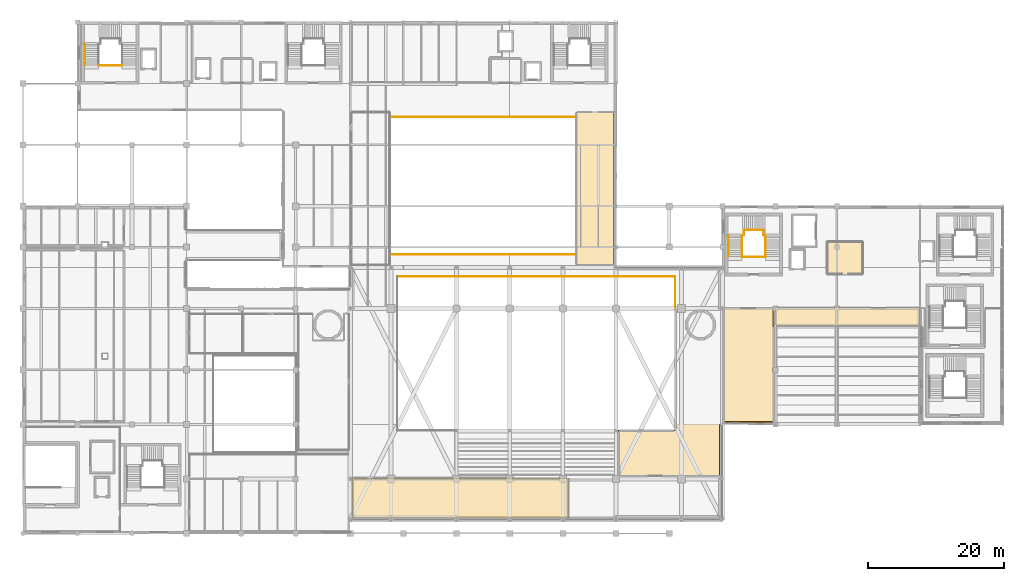
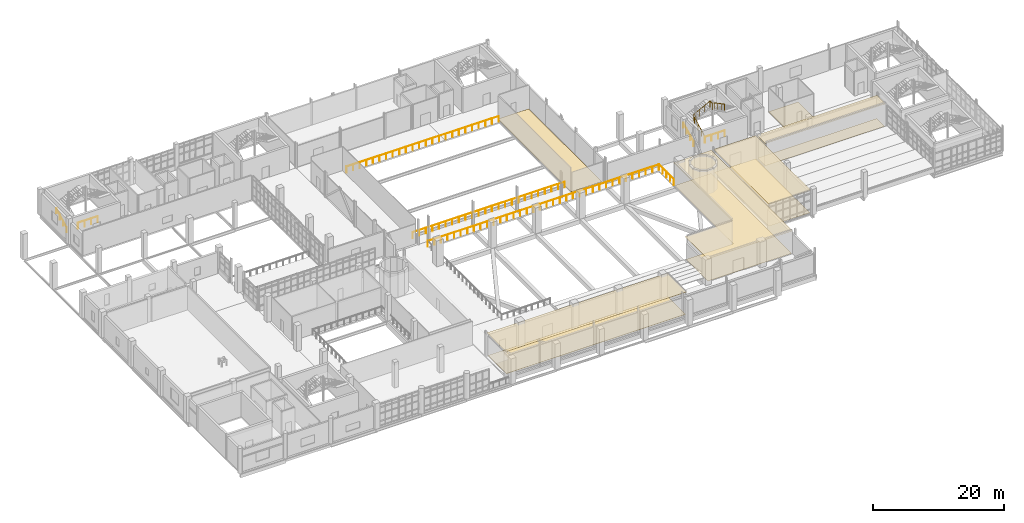
# One storey, part 98 of 100: 10 coverings, 9 railings.
"""IFC4 building model written with IfcOpenShell, lengths in metres."""

from ifc_helpers import new_model, si_unit, derived_unit, direction, frame, origin, origin_2d, place, context, subcontext, project, spatial, polyline, circle, outline, extrude, material, layer, layer_set, type_object, element, save


model = new_model("IFC4")

# Units and contexts
model_context = context("Model", 3, precision=1e-05, world=origin(), true_north=direction((0.0, 1.0)))
body_context = subcontext(model_context, "Body", "Model", "MODEL_VIEW")
ifc_project = project(units=[si_unit("LENGTHUNIT", "METRE"), si_unit("AREAUNIT", "SQUARE_METRE"), si_unit("VOLUMEUNIT", "CUBIC_METRE"), si_unit("PLANEANGLEUNIT", "RADIAN"), si_unit("MASSUNIT", "GRAM", prefix="KILO"), derived_unit("THERMALTRANSMITTANCEUNIT", [(si_unit("POWERUNIT", "WATT"), 1), (si_unit("LENGTHUNIT", "METRE"), -2), (si_unit("THERMODYNAMICTEMPERATUREUNIT", "KELVIN"), -1)])], contexts=[model_context])

# Site, building, storey
site_placement = place(None, origin())
site = spatial("IfcSite", under=ifc_project, at=site_placement, CompositionType="ELEMENT")
building_placement = place(site_placement, origin())
building = spatial("IfcBuilding", under=site, at=building_placement, Name="Nallur Shell Playhouse", CompositionType="ELEMENT")
storey_placement = place(building_placement, frame((0.0, 0.0, 10.199951171875)))
storey = spatial("IfcBuildingStorey", under=building, at=storey_placement, Name="L03", CompositionType="ELEMENT", Elevation=10.199951171875)

# Coverings
ifc_material_1 = material(Name="Micro-Perforated Teak Veneer Acoustic Baffle Ceiling")
ifc_layer_1 = layer(ifc_material_1, 0.044921875)
ifc_layer_set_1 = layer_set([ifc_layer_1], Name="Micro-Perforated Teak Veneer Acoustic Baffle Ceiling")
covering_type_1 = type_object("IfcCoveringType", Name="CV-CEIL-AC1", PredefinedType="CEILING", material=ifc_layer_set_1)
covering_1_placement = place(storey_placement, frame((0.0, 0.0, 4.205078125)))
element("IfcCovering", 1, at=covering_1_placement, inside=storey, type_object=covering_type_1, Name="260-Seat Courtyard Studio Theatre Auditorium suspended acoustic ceiling", PredefinedType="CEILING", context=body_context, shape_type="SweptSolid", body=[
    extrude(outline(polyline([(126.110107421875, 41.110107421875), (126.110107421875, 24.2900390625), (118.68994140625, 24.2900390625), (118.68994140625, 41.110107421875), (126.110107421875, 41.110107421875)])), origin(), (0.0, 0.0, 1.0), 0.044921875),
])
covering_2_placement = place(storey_placement, frame((0.0, 0.0, 4.205078125)))
element("IfcCovering", 2, at=covering_2_placement, inside=storey, type_object=covering_type_1, Name="Dress Circle Cantilevered Promenade Foyer suspended acoustic ceiling", PredefinedType="CEILING", context=body_context, shape_type="SweptSolid", body=[
    extrude(outline(polyline([(96.110107421875, 16.110107421875), (96.110107421875, 10.2900390625), (64.2900390625, 10.2900390625), (64.2900390625, 16.110107421875), (96.110107421875, 16.110107421875)])), origin(), (0.0, 0.0, 1.0), 0.044921875),
])
ifc_material_2 = material(Name="Mineral-Fibre High-NRC Suspended Ceiling Tile")
ifc_layer_2 = layer(ifc_material_2, 0.030029296875)
ifc_layer_set_2 = layer_set([ifc_layer_2], Name="Mineral-Fibre High-NRC Suspended Ceiling Tile")
covering_type_2 = type_object("IfcCoveringType", Name="CV-CEIL-AC2", PredefinedType="CEILING", material=ifc_layer_set_2)
covering_3_placement = place(storey_placement, frame((0.0, 0.0, 4.219970703125)))
element("IfcCovering", 3, at=covering_3_placement, inside=storey, type_object=covering_type_2, Name="Main Theatre Dress Circle Auditorium Tier suspended acoustic ceiling", PredefinedType="CEILING", context=body_context, shape_type="SweptSolid", body=[
    extrude(outline(polyline([(111.616455078125, 23.175048828125), (111.618896484375, 23.177001953125), (111.62109375, 23.178955078125), (111.623046875, 23.18115234375), (111.625, 23.18359375), (111.626220703125, 23.185791015625), (111.62744140625, 23.1884765625), (111.628662109375, 23.19140625), (111.629150390625, 23.194091796875), (111.629638671875, 23.197021484375), (111.6298828125, 23.202880859375), (111.6298828125, 41.110107421875), (118.31005859375, 41.110107421875), (118.31005859375, 16.2900390625), (103.2900390625, 16.2900390625), (103.2900390625, 23.169921875), (111.59716796875, 23.169921875), (111.602783203125, 23.17041015625), (111.60595703125, 23.1708984375), (111.608642578125, 23.17138671875), (111.611572265625, 23.172607421875), (111.6142578125, 23.173583984375), (111.616455078125, 23.175048828125)])), origin(), (0.0, 0.0, 1.0), 0.030029296875),
])
covering_4_placement = place(storey_placement, frame((0.0, 0.0, 4.219970703125)))
element("IfcCovering", 4, at=covering_4_placement, inside=storey, type_object=covering_type_2, Name="Studio Theatre Stage & Wing Deck suspended acoustic ceiling", PredefinedType="CEILING", context=body_context, shape_type="SweptSolid", body=[
    extrude(outline(polyline([(147.510009765625, 41.110107421875), (147.510009765625, 38.489990234375), (126.2900390625, 38.489990234375), (126.2900390625, 41.110107421875), (147.510009765625, 41.110107421875)])), origin(), (0.0, 0.0, 1.0), 0.030029296875),
])
ifc_material_3 = material(Name="Heavy-Duty Woven Wool Auditorium Acoustic Flooring")
ifc_layer_3 = layer(ifc_material_3, 0.02001953125)
ifc_layer_set_3 = layer_set([ifc_layer_3], Name="Heavy-Duty Woven Wool Auditorium Acoustic Flooring")
covering_type_3 = type_object("IfcCoveringType", Name="CV-FLOR-CARPET", PredefinedType="FLOORING", material=ifc_layer_set_3)
covering_5_placement = place(storey_placement, origin())
element("IfcCovering", 5, at=covering_5_placement, inside=storey, type_object=covering_type_3, Name="Main Theatre Dress Circle Auditorium Tier floor finish", PredefinedType="FLOORING", context=body_context, shape_type="SweptSolid", body=[
    extrude(outline(polyline([(111.677734375, 23.08349609375), (111.688720703125, 23.091796875), (111.698974609375, 23.10107421875), (111.708251953125, 23.111083984375), (111.71630859375, 23.122314453125), (111.723388671875, 23.134033203125), (111.729248046875, 23.146484375), (111.73388671875, 23.159423828125), (111.7373046875, 23.172607421875), (111.7392578125, 23.186279296875), (111.739990234375, 23.199951171875), (111.739990234375, 41.0), (118.199951171875, 41.0), (118.199951171875, 16.39990234375), (103.39990234375, 16.39990234375), (103.39990234375, 23.06005859375), (111.60009765625, 23.06005859375), (111.61376953125, 23.060791015625), (111.627197265625, 23.062744140625), (111.640625, 23.06591796875), (111.653564453125, 23.07080078125), (111.666015625, 23.076416015625), (111.677734375, 23.08349609375)])), origin(), (0.0, 0.0, 1.0), 0.02001953125),
])
covering_6_placement = place(storey_placement, origin())
element("IfcCovering", 6, at=covering_6_placement, inside=storey, type_object=covering_type_3, Name="260-Seat Courtyard Studio Theatre Auditorium floor finish", PredefinedType="FLOORING", context=body_context, shape_type="SweptSolid", body=[
    extrude(outline(polyline([(126.0, 41.0), (126.0, 24.39990234375), (118.800048828125, 24.39990234375), (118.800048828125, 41.0), (126.0, 41.0)])), origin(), (0.0, 0.0, 1.0), 0.02001953125),
])
covering_7_placement = place(storey_placement, origin())
element("IfcCovering", 7, at=covering_7_placement, inside=storey, type_object=covering_type_3, Name="Studio Theatre Stage & Wing Deck floor finish", PredefinedType="FLOORING", context=body_context, shape_type="SweptSolid", body=[
    extrude(outline(polyline([(147.39990234375, 41.0), (147.39990234375, 38.60009765625), (126.39990234375, 38.60009765625), (126.39990234375, 41.0), (147.39990234375, 41.0)])), origin(), (0.0, 0.0, 1.0), 0.02001953125),
])
ifc_material_4 = material(Name="Polished Chettinad Oxide & White Marble Terrazzo Flooring", Category="masonry")
ifc_layer_4 = layer(ifc_material_4, 0.050048828125)
ifc_layer_set_4 = layer_set([ifc_layer_4], Name="Polished Chettinad Oxide & White Marble Terrazzo Flooring")
covering_type_4 = type_object("IfcCoveringType", Name="CV-FLOR-TERRAZZO", PredefinedType="FLOORING", material=ifc_layer_set_4)
covering_8_placement = place(storey_placement, origin())
element("IfcCovering", 8, at=covering_8_placement, inside=storey, type_object=covering_type_4, Name="Dress Circle Cantilevered Promenade Foyer floor finish", PredefinedType="FLOORING", context=body_context, shape_type="SweptSolid", body=[
    extrude(outline(polyline([(96.0, 16.0), (96.0, 10.39990234375), (64.39990234375, 10.39990234375), (64.39990234375, 16.0), (96.0, 16.0)])), origin(), (0.0, 0.0, 1.0), 0.050048828125),
])
covering_9_placement = place(storey_placement, origin())
element("IfcCovering", 9, at=covering_9_placement, inside=storey, type_object=covering_type_4, Name="Dress Circle Accessible Restroom floor finish", PredefinedType="FLOORING", context=body_context, shape_type="SweptSolid", body=[
    extrude(outline(polyline([(139.199951171875, 50.800048828125), (139.199951171875, 46.0), (134.0, 46.0), (134.0, 50.800048828125), (139.199951171875, 50.800048828125)])), origin(), (0.0, 0.0, 1.0), 0.050048828125),
])
ifc_material_5 = material(Name="Sprung Semi-Resilient Stage & Dance Hardwood Flooring", Category="wood")
ifc_layer_5 = layer(ifc_material_5, 0.054931640625)
ifc_layer_set_5 = layer_set([ifc_layer_5], Name="Sprung Semi-Resilient Stage & Dance Hardwood Flooring")
covering_type_5 = type_object("IfcCoveringType", Name="CV-FLOR-TIMBER", PredefinedType="FLOORING", material=ifc_layer_set_5)
covering_10_placement = place(storey_placement, origin())
element("IfcCovering", 10, at=covering_10_placement, inside=storey, type_object=covering_type_5, Name="Stage East Pin-Rail & Lighting Gallery floor finish", PredefinedType="FLOORING", context=body_context, shape_type="SweptSolid", body=[
    extrude(outline(polyline([(102.60009765625, 69.800048828125), (102.60009765625, 47.39990234375), (97.199951171875, 47.39990234375), (97.199951171875, 69.800048828125), (102.60009765625, 69.800048828125)])), origin(), (0.0, 0.0, 1.0), 0.054931640625),
])

# Railings
ifc_material_6 = material(Name="Bronze-Anodised Foyer Void Acoustic Glass Guardrail", Category="glass")
railing_type_1 = type_object("IfcRailingType", Name="RL-BAL-1100", PredefinedType="BALUSTRADE", material=ifc_material_6)
railing_1_placement = place(storey_placement, frame((111.699951171875, 41.1318359375, 0.0)))
element("IfcRailing", 11, at=railing_1_placement, inside=storey, type_object=railing_type_1, Name="L03 interior void balustrade 006", PredefinedType="BALUSTRADE", context=body_context, shape_type="SweptSolid", body=[
    extrude(circle(Radius=0.02392578125, at=origin_2d()), frame((0.0, 0.0, 1.09619140625), z_axis=(0.0, 1.0, 0.0), x_axis=(-1.0, 0.0, 0.0)), (0.0, 0.0, 1.0), 4.568115234375),
    extrude(circle(Radius=0.02099609375, at=origin_2d()), origin(), (0.0, 0.0, 1.0), 1.072021484375),
    extrude(circle(Radius=0.02099609375, at=origin_2d()), frame((0.0, 1.14208984375, 0.0)), (0.0, 0.0, 1.0), 1.072021484375),
    extrude(circle(Radius=0.02099609375, at=origin_2d()), frame((0.0, 2.2841796875, 0.0)), (0.0, 0.0, 1.0), 1.072021484375),
    extrude(circle(Radius=0.02099609375, at=origin_2d()), frame((0.0, 3.426025390625, 0.0)), (0.0, 0.0, 1.0), 1.072021484375),
    extrude(circle(Radius=0.02099609375, at=origin_2d()), frame((0.0, 4.568115234375, 0.0)), (0.0, 0.0, 1.0), 1.072021484375),
])
railing_2_placement = place(storey_placement, frame((111.699951171875, 45.699951171875, 0.0)))
element("IfcRailing", 12, at=railing_2_placement, inside=storey, type_object=railing_type_1, Name="L03 interior void balustrade 007", PredefinedType="BALUSTRADE", context=body_context, shape_type="SweptSolid", body=[
    extrude(circle(Radius=0.02392578125, at=origin_2d()), frame((0.0, 0.0, 1.09619140625), z_axis=(-1.0, 0.0, 0.0), x_axis=(0.0, -1.0, 0.0)), (0.0, 0.0, 1.0), 40.800048828125),
    extrude(circle(Radius=0.02099609375, at=origin_2d()), origin(), (0.0, 0.0, 1.0), 1.072021484375),
    extrude(circle(Radius=0.02099609375, at=origin_2d()), frame((-1.165771484375, 0.0, 0.0)), (0.0, 0.0, 1.0), 1.072021484375),
    extrude(circle(Radius=0.02099609375, at=origin_2d()), frame((-2.33154296875, 0.0, 0.0)), (0.0, 0.0, 1.0), 1.072021484375),
    extrude(circle(Radius=0.02099609375, at=origin_2d()), frame((-3.4970703125, 0.0, 0.0)), (0.0, 0.0, 1.0), 1.072021484375),
    extrude(circle(Radius=0.02099609375, at=origin_2d()), frame((-4.662841796875, 0.0, 0.0)), (0.0, 0.0, 1.0), 1.072021484375),
    extrude(circle(Radius=0.02099609375, at=origin_2d()), frame((-5.82861328125, 0.0, 0.0)), (0.0, 0.0, 1.0), 1.072021484375),
    extrude(circle(Radius=0.02099609375, at=origin_2d()), frame((-6.994384765625, 0.0, 0.0)), (0.0, 0.0, 1.0), 1.072021484375),
    extrude(circle(Radius=0.02099609375, at=origin_2d()), frame((-8.159912109375, 0.0, 0.0)), (0.0, 0.0, 1.0), 1.072021484375),
    extrude(circle(Radius=0.02099609375, at=origin_2d()), frame((-9.32568359375, 0.0, 0.0)), (0.0, 0.0, 1.0), 1.072021484375),
    extrude(circle(Radius=0.02099609375, at=origin_2d()), frame((-10.491455078125, 0.0, 0.0)), (0.0, 0.0, 1.0), 1.072021484375),
    extrude(circle(Radius=0.02099609375, at=origin_2d()), frame((-11.6572265625, 0.0, 0.0)), (0.0, 0.0, 1.0), 1.072021484375),
    extrude(circle(Radius=0.02099609375, at=origin_2d()), frame((-12.82275390625, 0.0, 0.0)), (0.0, 0.0, 1.0), 1.072021484375),
    extrude(circle(Radius=0.02099609375, at=origin_2d()), frame((-13.988525390625, 0.0, 0.0)), (0.0, 0.0, 1.0), 1.072021484375),
    extrude(circle(Radius=0.02099609375, at=origin_2d()), frame((-15.154296875, 0.0, 0.0)), (0.0, 0.0, 1.0), 1.072021484375),
    extrude(circle(Radius=0.02099609375, at=origin_2d()), frame((-16.320068359375, 0.0, 0.0)), (0.0, 0.0, 1.0), 1.072021484375),
    extrude(circle(Radius=0.02099609375, at=origin_2d()), frame((-17.48583984375, 0.0, 0.0)), (0.0, 0.0, 1.0), 1.072021484375),
    extrude(circle(Radius=0.02099609375, at=origin_2d()), frame((-18.6513671875, 0.0, 0.0)), (0.0, 0.0, 1.0), 1.072021484375),
    extrude(circle(Radius=0.02099609375, at=origin_2d()), frame((-19.817138671875, 0.0, 0.0)), (0.0, 0.0, 1.0), 1.072021484375),
    extrude(circle(Radius=0.02099609375, at=origin_2d()), frame((-20.98291015625, 0.0, 0.0)), (0.0, 0.0, 1.0), 1.072021484375),
    extrude(circle(Radius=0.02099609375, at=origin_2d()), frame((-22.148681640625, 0.0, 0.0)), (0.0, 0.0, 1.0), 1.072021484375),
    extrude(circle(Radius=0.02099609375, at=origin_2d()), frame((-23.314208984375, 0.0, 0.0)), (0.0, 0.0, 1.0), 1.072021484375),
    extrude(circle(Radius=0.02099609375, at=origin_2d()), frame((-24.47998046875, 0.0, 0.0)), (0.0, 0.0, 1.0), 1.072021484375),
    extrude(circle(Radius=0.02099609375, at=origin_2d()), frame((-25.645751953125, 0.0, 0.0)), (0.0, 0.0, 1.0), 1.072021484375),
    extrude(circle(Radius=0.02099609375, at=origin_2d()), frame((-26.8115234375, 0.0, 0.0)), (0.0, 0.0, 1.0), 1.072021484375),
    extrude(circle(Radius=0.02099609375, at=origin_2d()), frame((-27.977294921875, 0.0, 0.0)), (0.0, 0.0, 1.0), 1.072021484375),
    extrude(circle(Radius=0.02099609375, at=origin_2d()), frame((-29.142822265625, 0.0, 0.0)), (0.0, 0.0, 1.0), 1.072021484375),
    extrude(circle(Radius=0.02099609375, at=origin_2d()), frame((-30.30859375, 0.0, 0.0)), (0.0, 0.0, 1.0), 1.072021484375),
    extrude(circle(Radius=0.02099609375, at=origin_2d()), frame((-31.474365234375, 0.0, 0.0)), (0.0, 0.0, 1.0), 1.072021484375),
    extrude(circle(Radius=0.02099609375, at=origin_2d()), frame((-32.64013671875, 0.0, 0.0)), (0.0, 0.0, 1.0), 1.072021484375),
    extrude(circle(Radius=0.02099609375, at=origin_2d()), frame((-33.8056640625, 0.0, 0.0)), (0.0, 0.0, 1.0), 1.072021484375),
    extrude(circle(Radius=0.02099609375, at=origin_2d()), frame((-34.971435546875, 0.0, 0.0)), (0.0, 0.0, 1.0), 1.072021484375),
    extrude(circle(Radius=0.02099609375, at=origin_2d()), frame((-36.13720703125, 0.0, 0.0)), (0.0, 0.0, 1.0), 1.072021484375),
    extrude(circle(Radius=0.02099609375, at=origin_2d()), frame((-37.302978515625, 0.0, 0.0)), (0.0, 0.0, 1.0), 1.072021484375),
    extrude(circle(Radius=0.02099609375, at=origin_2d()), frame((-38.468505859375, 0.0, 0.0)), (0.0, 0.0, 1.0), 1.072021484375),
    extrude(circle(Radius=0.02099609375, at=origin_2d()), frame((-39.63427734375, 0.0, 0.0)), (0.0, 0.0, 1.0), 1.072021484375),
    extrude(circle(Radius=0.02099609375, at=origin_2d()), frame((-40.800048828125, 0.0, 0.0)), (0.0, 0.0, 1.0), 1.072021484375),
])
railing_3_placement = place(storey_placement, frame((70.080078125, 48.89990234375, 0.0)))
element("IfcRailing", 13, at=railing_3_placement, inside=storey, type_object=railing_type_1, Name="L03 interior void balustrade 013", PredefinedType="BALUSTRADE", context=body_context, shape_type="SweptSolid", body=[
    extrude(circle(Radius=0.02392578125, at=origin_2d()), frame((0.0, 0.0, 1.09619140625), z_axis=(1.0, 0.0, 0.0), x_axis=(0.0, 1.0, 0.0)), (0.0, 0.0, 1.0), 26.83984375),
    extrude(circle(Radius=0.02099609375, at=origin_2d()), origin(), (0.0, 0.0, 1.0), 1.072021484375),
    extrude(circle(Radius=0.02099609375, at=origin_2d()), frame((1.1669921875, 0.0, 0.0)), (0.0, 0.0, 1.0), 1.072021484375),
    extrude(circle(Radius=0.02099609375, at=origin_2d()), frame((2.333984375, 0.0, 0.0)), (0.0, 0.0, 1.0), 1.072021484375),
    extrude(circle(Radius=0.02099609375, at=origin_2d()), frame((3.500732421875, 0.0, 0.0)), (0.0, 0.0, 1.0), 1.072021484375),
    extrude(circle(Radius=0.02099609375, at=origin_2d()), frame((4.667724609375, 0.0, 0.0)), (0.0, 0.0, 1.0), 1.072021484375),
    extrude(circle(Radius=0.02099609375, at=origin_2d()), frame((5.834716796875, 0.0, 0.0)), (0.0, 0.0, 1.0), 1.072021484375),
    extrude(circle(Radius=0.02099609375, at=origin_2d()), frame((7.001708984375, 0.0, 0.0)), (0.0, 0.0, 1.0), 1.072021484375),
    extrude(circle(Radius=0.02099609375, at=origin_2d()), frame((8.168701171875, 0.0, 0.0)), (0.0, 0.0, 1.0), 1.072021484375),
    extrude(circle(Radius=0.02099609375, at=origin_2d()), frame((9.335693359375, 0.0, 0.0)), (0.0, 0.0, 1.0), 1.072021484375),
    extrude(circle(Radius=0.02099609375, at=origin_2d()), frame((10.50244140625, 0.0, 0.0)), (0.0, 0.0, 1.0), 1.072021484375),
    extrude(circle(Radius=0.02099609375, at=origin_2d()), frame((11.66943359375, 0.0, 0.0)), (0.0, 0.0, 1.0), 1.072021484375),
    extrude(circle(Radius=0.02099609375, at=origin_2d()), frame((12.83642578125, 0.0, 0.0)), (0.0, 0.0, 1.0), 1.072021484375),
    extrude(circle(Radius=0.02099609375, at=origin_2d()), frame((14.00341796875, 0.0, 0.0)), (0.0, 0.0, 1.0), 1.072021484375),
    extrude(circle(Radius=0.02099609375, at=origin_2d()), frame((15.17041015625, 0.0, 0.0)), (0.0, 0.0, 1.0), 1.072021484375),
    extrude(circle(Radius=0.02099609375, at=origin_2d()), frame((16.33740234375, 0.0, 0.0)), (0.0, 0.0, 1.0), 1.072021484375),
    extrude(circle(Radius=0.02099609375, at=origin_2d()), frame((17.504150390625, 0.0, 0.0)), (0.0, 0.0, 1.0), 1.072021484375),
    extrude(circle(Radius=0.02099609375, at=origin_2d()), frame((18.671142578125, 0.0, 0.0)), (0.0, 0.0, 1.0), 1.072021484375),
    extrude(circle(Radius=0.02099609375, at=origin_2d()), frame((19.838134765625, 0.0, 0.0)), (0.0, 0.0, 1.0), 1.072021484375),
    extrude(circle(Radius=0.02099609375, at=origin_2d()), frame((21.005126953125, 0.0, 0.0)), (0.0, 0.0, 1.0), 1.072021484375),
    extrude(circle(Radius=0.02099609375, at=origin_2d()), frame((22.172119140625, 0.0, 0.0)), (0.0, 0.0, 1.0), 1.072021484375),
    extrude(circle(Radius=0.02099609375, at=origin_2d()), frame((23.339111328125, 0.0, 0.0)), (0.0, 0.0, 1.0), 1.072021484375),
    extrude(circle(Radius=0.02099609375, at=origin_2d()), frame((24.505859375, 0.0, 0.0)), (0.0, 0.0, 1.0), 1.072021484375),
    extrude(circle(Radius=0.02099609375, at=origin_2d()), frame((25.6728515625, 0.0, 0.0)), (0.0, 0.0, 1.0), 1.072021484375),
    extrude(circle(Radius=0.02099609375, at=origin_2d()), frame((26.83984375, 0.0, 0.0)), (0.0, 0.0, 1.0), 1.072021484375),
])
railing_4_placement = place(storey_placement, frame((96.919921875, 69.10009765625, 0.0)))
element("IfcRailing", 14, at=railing_4_placement, inside=storey, type_object=railing_type_1, Name="L03 interior void balustrade 014", PredefinedType="BALUSTRADE", context=body_context, shape_type="SweptSolid", body=[
    extrude(circle(Radius=0.02392578125, at=origin_2d()), frame((0.0, 0.0, 1.09619140625), z_axis=(-1.0, 0.0, 0.0), x_axis=(0.0, -1.0, 0.0)), (0.0, 0.0, 1.0), 26.83984375),
    extrude(circle(Radius=0.02099609375, at=origin_2d()), origin(), (0.0, 0.0, 1.0), 1.072021484375),
    extrude(circle(Radius=0.02099609375, at=origin_2d()), frame((-1.1669921875, 0.0, 0.0)), (0.0, 0.0, 1.0), 1.072021484375),
    extrude(circle(Radius=0.02099609375, at=origin_2d()), frame((-2.333984375, 0.0, 0.0)), (0.0, 0.0, 1.0), 1.072021484375),
    extrude(circle(Radius=0.02099609375, at=origin_2d()), frame((-3.500732421875, 0.0, 0.0)), (0.0, 0.0, 1.0), 1.072021484375),
    extrude(circle(Radius=0.02099609375, at=origin_2d()), frame((-4.667724609375, 0.0, 0.0)), (0.0, 0.0, 1.0), 1.072021484375),
    extrude(circle(Radius=0.02099609375, at=origin_2d()), frame((-5.834716796875, 0.0, 0.0)), (0.0, 0.0, 1.0), 1.072021484375),
    extrude(circle(Radius=0.02099609375, at=origin_2d()), frame((-7.001708984375, 0.0, 0.0)), (0.0, 0.0, 1.0), 1.072021484375),
    extrude(circle(Radius=0.02099609375, at=origin_2d()), frame((-8.168701171875, 0.0, 0.0)), (0.0, 0.0, 1.0), 1.072021484375),
    extrude(circle(Radius=0.02099609375, at=origin_2d()), frame((-9.335693359375, 0.0, 0.0)), (0.0, 0.0, 1.0), 1.072021484375),
    extrude(circle(Radius=0.02099609375, at=origin_2d()), frame((-10.50244140625, 0.0, 0.0)), (0.0, 0.0, 1.0), 1.072021484375),
    extrude(circle(Radius=0.02099609375, at=origin_2d()), frame((-11.66943359375, 0.0, 0.0)), (0.0, 0.0, 1.0), 1.072021484375),
    extrude(circle(Radius=0.02099609375, at=origin_2d()), frame((-12.83642578125, 0.0, 0.0)), (0.0, 0.0, 1.0), 1.072021484375),
    extrude(circle(Radius=0.02099609375, at=origin_2d()), frame((-14.00341796875, 0.0, 0.0)), (0.0, 0.0, 1.0), 1.072021484375),
    extrude(circle(Radius=0.02099609375, at=origin_2d()), frame((-15.17041015625, 0.0, 0.0)), (0.0, 0.0, 1.0), 1.072021484375),
    extrude(circle(Radius=0.02099609375, at=origin_2d()), frame((-16.33740234375, 0.0, 0.0)), (0.0, 0.0, 1.0), 1.072021484375),
    extrude(circle(Radius=0.02099609375, at=origin_2d()), frame((-17.504150390625, 0.0, 0.0)), (0.0, 0.0, 1.0), 1.072021484375),
    extrude(circle(Radius=0.02099609375, at=origin_2d()), frame((-18.671142578125, 0.0, 0.0)), (0.0, 0.0, 1.0), 1.072021484375),
    extrude(circle(Radius=0.02099609375, at=origin_2d()), frame((-19.838134765625, 0.0, 0.0)), (0.0, 0.0, 1.0), 1.072021484375),
    extrude(circle(Radius=0.02099609375, at=origin_2d()), frame((-21.005126953125, 0.0, 0.0)), (0.0, 0.0, 1.0), 1.072021484375),
    extrude(circle(Radius=0.02099609375, at=origin_2d()), frame((-22.172119140625, 0.0, 0.0)), (0.0, 0.0, 1.0), 1.072021484375),
    extrude(circle(Radius=0.02099609375, at=origin_2d()), frame((-23.339111328125, 0.0, 0.0)), (0.0, 0.0, 1.0), 1.072021484375),
    extrude(circle(Radius=0.02099609375, at=origin_2d()), frame((-24.505859375, 0.0, 0.0)), (0.0, 0.0, 1.0), 1.072021484375),
    extrude(circle(Radius=0.02099609375, at=origin_2d()), frame((-25.6728515625, 0.0, 0.0)), (0.0, 0.0, 1.0), 1.072021484375),
    extrude(circle(Radius=0.02099609375, at=origin_2d()), frame((-26.83984375, 0.0, 0.0)), (0.0, 0.0, 1.0), 1.072021484375),
])
ifc_material_7 = material(Name="Brushed Stainless Steel 316 Balustrade & Toughened Infill", Category="steel")
railing_type_2 = type_object("IfcRailingType", Name="RL-GUARD-1100", PredefinedType="BALUSTRADE", material=ifc_material_7)
railing_5_placement = place(storey_placement, frame((121.4599609375, 48.60009765625, 0.0)))
element("IfcRailing", 15, at=railing_5_placement, inside=storey, type_object=railing_type_2, Name="Stair ST-02-L03 inner open-well guard", PredefinedType="BALUSTRADE", context=body_context, shape_type="SweptSolid", body=[
    extrude(circle(Radius=0.02392578125, at=origin_2d()), frame((0.0, 0.0, 1.15576171875), z_axis=(0.0, 0.885200240898, 0.465210203579), x_axis=(-1.0, 0.0, 0.0)), (0.0, 0.0, 1.0), 3.547119140625),
    extrude(circle(Radius=0.02392578125, at=origin_2d()), frame((0.0, 3.139892578125, 2.80615234375), z_axis=(1.0, 0.0, 0.0), x_axis=(0.0, 1.0, 0.0)), (0.0, 0.0, 1.0), 0.304931640625),
    extrude(circle(Radius=0.02392578125, at=origin_2d()), frame((0.304931640625, 3.139892578125, 2.80615234375), z_axis=(0.0, 1.0, 0.0), x_axis=(-1.0, 0.0, 0.0)), (0.0, 0.0, 1.0), 0.760009765625),
    extrude(circle(Radius=0.02392578125, at=origin_2d()), frame((0.304931640625, 3.89990234375, 2.80615234375), z_axis=(0.886262018935, 0.0, 0.463184233101), x_axis=(0.0, 1.0, 0.0)), (0.0, 0.0, 1.0), 3.238525390625),
    extrude(circle(Radius=0.02392578125, at=origin_2d()), frame((3.175048828125, 3.89990234375, 4.30615234375), z_axis=(0.0, -1.0, 0.0), x_axis=(1.0, 0.0, 0.0)), (0.0, 0.0, 1.0), 0.760009765625),
    extrude(circle(Radius=0.02392578125, at=origin_2d()), frame((3.175048828125, 3.139892578125, 4.30615234375), z_axis=(1.0, 0.0, 0.0), x_axis=(0.0, 1.0, 0.0)), (0.0, 0.0, 1.0), 0.304931640625),
    extrude(circle(Radius=0.02392578125, at=origin_2d()), frame((3.47998046875, 3.139892578125, 4.30615234375), z_axis=(0.0, -0.885228583928, 0.465156268578), x_axis=(1.0, 0.0, 0.0)), (0.0, 0.0, 1.0), 3.546875),
    extrude(circle(Radius=0.02099609375, at=origin_2d()), origin(), (0.0, 0.0, 1.0), 1.1318359375),
    extrude(circle(Radius=0.02099609375, at=origin_2d()), frame((0.0, 1.046630859375, 0.550048828125)), (0.0, 0.0, 1.0), 1.1318359375),
    extrude(circle(Radius=0.02099609375, at=origin_2d()), frame((0.0, 2.09326171875, 1.10009765625)), (0.0, 0.0, 1.0), 1.1318359375),
    extrude(circle(Radius=0.02099609375, at=origin_2d()), frame((0.0, 3.139892578125, 1.650146484375)), (0.0, 0.0, 1.0), 1.1318359375),
    extrude(circle(Radius=0.02099609375, at=origin_2d()), frame((0.304931640625, 3.139892578125, 1.650146484375)), (0.0, 0.0, 1.0), 1.1318359375),
    extrude(circle(Radius=0.02099609375, at=origin_2d()), frame((0.304931640625, 3.89990234375, 1.650146484375)), (0.0, 0.0, 1.0), 1.1318359375),
    extrude(circle(Radius=0.02099609375, at=origin_2d()), frame((1.26171875, 3.89990234375, 2.150146484375)), (0.0, 0.0, 1.0), 1.1318359375),
    extrude(circle(Radius=0.02099609375, at=origin_2d()), frame((2.21826171875, 3.89990234375, 2.650146484375)), (0.0, 0.0, 1.0), 1.1318359375),
    extrude(circle(Radius=0.02099609375, at=origin_2d()), frame((3.175048828125, 3.89990234375, 3.150146484375)), (0.0, 0.0, 1.0), 1.1318359375),
    extrude(circle(Radius=0.02099609375, at=origin_2d()), frame((3.175048828125, 3.139892578125, 3.150146484375)), (0.0, 0.0, 1.0), 1.1318359375),
    extrude(circle(Radius=0.02099609375, at=origin_2d()), frame((3.47998046875, 3.139892578125, 3.150146484375)), (0.0, 0.0, 1.0), 1.1318359375),
    extrude(circle(Radius=0.02099609375, at=origin_2d()), frame((3.47998046875, 2.09326171875, 3.7001953125)), (0.0, 0.0, 1.0), 1.1318359375),
    extrude(circle(Radius=0.02099609375, at=origin_2d()), frame((3.47998046875, 1.046630859375, 4.25)), (0.0, 0.0, 1.0), 1.1318359375),
    extrude(circle(Radius=0.02099609375, at=origin_2d()), frame((3.47998046875, 0.0, 4.800048828125)), (0.0, 0.0, 1.0), 1.1318359375),
])
for number, where, name in (
    (16, (121.4599609375, 48.5400390625, 0.0), "Stair ST-02-L03 floor-well guard"),
    (17, (27.06005859375, 76.639892578125, 0.0), "Stair ST-06-L03 floor-well guard"),
):
    element("IfcRailing", number, at=place(storey_placement, frame(where)), inside=storey, type_object=railing_type_2, Name=name, PredefinedType="BALUSTRADE", context=body_context, shape_type="SweptSolid", body=[
        extrude(circle(Radius=0.02392578125, at=origin_2d()), frame((0.0, 0.0, 1.09619140625), z_axis=(1.0, 0.0, 0.0), x_axis=(0.0, 1.0, 0.0)), (0.0, 0.0, 1.0), 3.47998046875),
        extrude(circle(Radius=0.02099609375, at=origin_2d()), origin(), (0.0, 0.0, 1.0), 1.072021484375),
        extrude(circle(Radius=0.02099609375, at=origin_2d()), frame((1.159912109375, 0.0, 0.0)), (0.0, 0.0, 1.0), 1.072021484375),
        extrude(circle(Radius=0.02099609375, at=origin_2d()), frame((2.320068359375, 0.0, 0.0)), (0.0, 0.0, 1.0), 1.072021484375),
        extrude(circle(Radius=0.02099609375, at=origin_2d()), frame((3.47998046875, 0.0, 0.0)), (0.0, 0.0, 1.0), 1.072021484375),
    ])
ifc_material_8 = material(Name="Stainless Steel 316 Continuous Tubular Handrail", Category="steel")
railing_type_3 = type_object("IfcRailingType", Name="RL-HANDRAIL-900", PredefinedType="HANDRAIL", material=ifc_material_8)
railing_6_placement = place(storey_placement, frame((119.47998046875, 48.60009765625, 0.0)))
element("IfcRailing", 18, at=railing_6_placement, inside=storey, type_object=railing_type_3, Name="Stair ST-02-L03 outer handrail F1", PredefinedType="HANDRAIL", context=body_context, shape_type="SweptSolid", body=[
    extrude(circle(Radius=0.02392578125, at=origin_2d()), frame((0.0, 0.0, 0.89599609375), z_axis=(0.0, 0.882720248289, 0.469898886208), x_axis=(-1.0, 0.0, 0.0)), (0.0, 0.0, 1.0), 3.51171875),
    extrude(circle(Radius=0.02099609375, at=origin_2d()), origin(), (0.0, 0.0, 1.0), 0.871826171875),
    extrude(circle(Radius=0.02099609375, at=origin_2d()), frame((0.0, 1.033203125, 0.550048828125)), (0.0, 0.0, 1.0), 0.871826171875),
    extrude(circle(Radius=0.02099609375, at=origin_2d()), frame((0.0, 2.066650390625, 1.10009765625)), (0.0, 0.0, 1.0), 0.871826171875),
    extrude(circle(Radius=0.02099609375, at=origin_2d()), frame((0.0, 3.099853515625, 1.650146484375)), (0.0, 0.0, 1.0), 0.871826171875),
])
railing_7_placement = place(storey_placement, frame((25.080078125, 76.699951171875, 0.0)))
element("IfcRailing", 19, at=railing_7_placement, inside=storey, type_object=railing_type_3, Name="Stair ST-06-L03 outer handrail F1", PredefinedType="HANDRAIL", context=body_context, shape_type="SweptSolid", body=[
    extrude(circle(Radius=0.02392578125, at=origin_2d()), frame((0.0, 0.0, 0.89599609375), z_axis=(0.0, 0.882735597669, 0.469870050767), x_axis=(-1.0, 0.0, 0.0)), (0.0, 0.0, 1.0), 3.511962890625),
    extrude(circle(Radius=0.02099609375, at=origin_2d()), origin(), (0.0, 0.0, 1.0), 0.871826171875),
    extrude(circle(Radius=0.02099609375, at=origin_2d()), frame((0.0, 1.033447265625, 0.550048828125)), (0.0, 0.0, 1.0), 0.871826171875),
    extrude(circle(Radius=0.02099609375, at=origin_2d()), frame((0.0, 2.066650390625, 1.10009765625)), (0.0, 0.0, 1.0), 0.871826171875),
    extrude(circle(Radius=0.02099609375, at=origin_2d()), frame((0.0, 3.10009765625, 1.650146484375)), (0.0, 0.0, 1.0), 0.871826171875),
])

save(model, "model.ifc")
